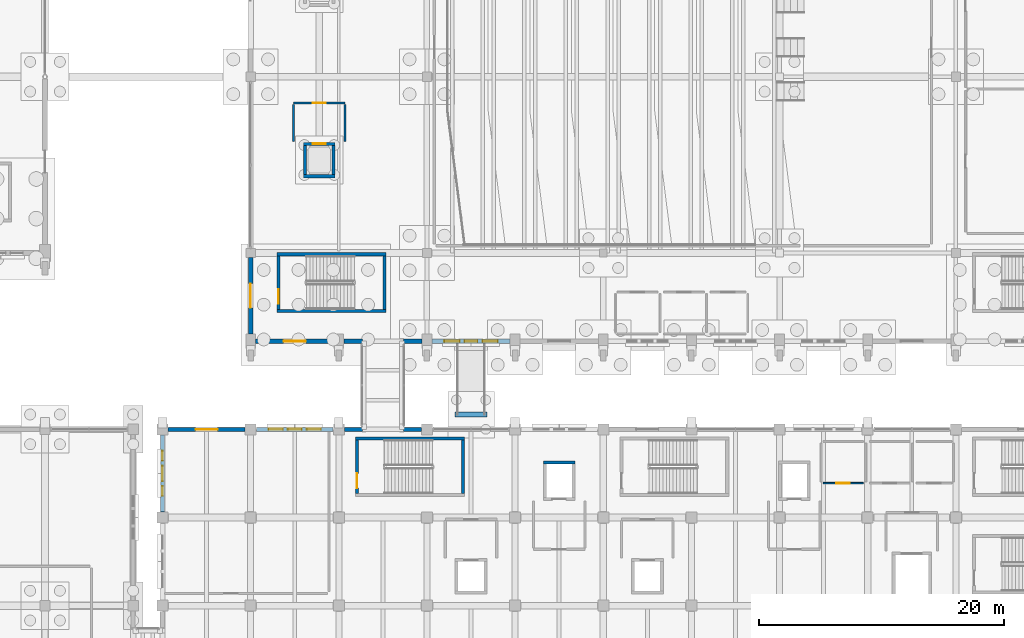
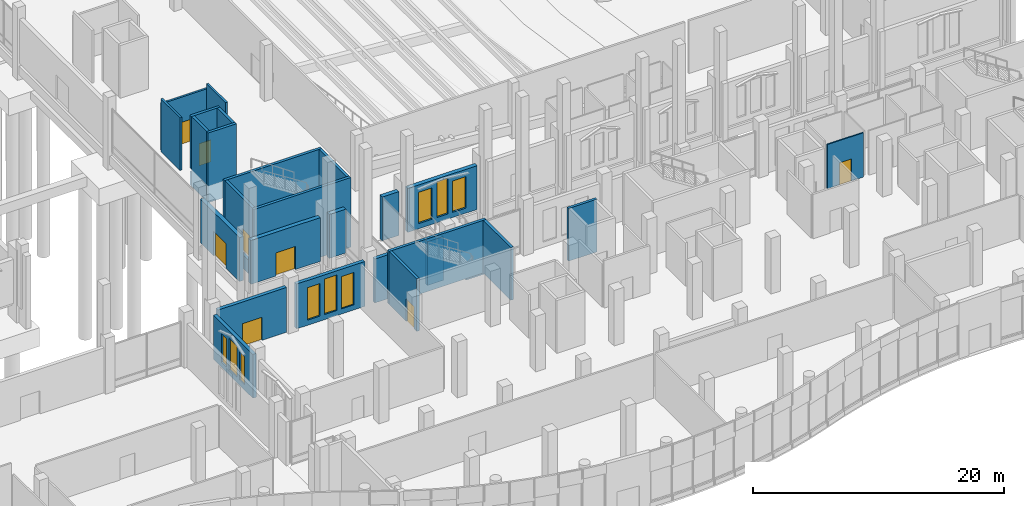
# One storey, part 140 of 192: 29 walls, 9 windows, 8 doors, 17 openings.
"""IFC4 building model written with IfcOpenShell, lengths in metres."""

from ifc_helpers import new_model, si_unit, direction, frame, frame_2d, origin, place, context, subcontext, project, spatial, rectangle, extrude, material, layer, layer_set, type_object, element, fill, save


model = new_model("IFC4")

# Units and contexts
model_context = context("Model", 3, precision=1e-05, world=origin(), true_north=direction((0.0, 1.0)))
body_context = subcontext(model_context, "Body", "Model", "MODEL_VIEW")
ifc_project = project(units=[si_unit("LENGTHUNIT", "METRE"), si_unit("AREAUNIT", "SQUARE_METRE"), si_unit("VOLUMEUNIT", "CUBIC_METRE"), si_unit("PLANEANGLEUNIT", "RADIAN"), si_unit("MASSUNIT", "GRAM", prefix="KILO")], contexts=[model_context])

# Site, building, storey
site_placement = place(None, origin())
site = spatial("IfcSite", under=ifc_project, at=site_placement, CompositionType="ELEMENT")
building_placement = place(site_placement, origin())
building = spatial("IfcBuilding", under=site, at=building_placement, Name="Cendralis Lancet Convention Centre", CompositionType="ELEMENT")
storey_placement = place(building_placement, origin())
storey = spatial("IfcBuildingStorey", under=building, at=storey_placement, Name="L00", CompositionType="ELEMENT", Elevation=0.0)

# Wall, opening, door
ifc_material_1 = material(Name="Buff sandstone ashlar and Concrete G40 (C40/50)", Category="masonry")
ifc_layer_1 = layer(ifc_material_1, 0.320068359375, Name="Buff sandstone ashlar and Concrete G40 (C40/50)")
ifc_layer_set_1 = layer_set([ifc_layer_1], Name="Buff sandstone ashlar and Concrete G40 (C40/50)")
wall_type_1 = type_object("IfcWallType", Name="ARC-EW-W320", PredefinedType="STANDARD", material=ifc_layer_set_1)
wall_1_placement = place(storey_placement, frame((132.4580078125, 36.0, 0.0), z_axis=(0.0, 0.0, 1.0), x_axis=(1.0, 0.0, 0.0)))
wall_1 = element("IfcWall", 1, at=wall_1_placement, inside=storey, type_object=wall_type_1, Name="L00 V5 Exterior Wall EW-06 #0245", PredefinedType="STANDARD", context=body_context, shape_type="SweptSolid", body=[
    extrude(rectangle(XDim=6.283935546875, YDim=0.320068359375, at=frame_2d((3.14208984375, 0.0))), origin(), (0.0, 0.0, 1.0), 4.35498046875),
])
opening_1_placement = place(wall_1_placement, frame((2.241943359375, 0.0, 0.0)))
opening_1 = element("IfcOpeningElement", 2, at=opening_1_placement, cuts=wall_1, Name="Opening EX-D1", PredefinedType="OPENING", context=body_context, shape_type="SweptSolid", body=[
    extrude(rectangle(XDim=1.800048828125, YDim=2.25, at=frame_2d((0.89990234375, 1.125))), frame((0.0, 0.169921875, 0.0), z_axis=(0.0, -1.0, 0.0), x_axis=(1.0, 0.0, 0.0)), (0.0, 0.0, 1.0), 0.340087890625),
])
ifc_material_2 = material(Name="Anodised bronze architectural aluminium", Category="aluminium")
door_type_1 = type_object("IfcDoorType", Name="ARC-DR-EX18", OperationType="NOTDEFINED", PredefinedType="DOOR", material=ifc_material_2)
door_1_placement = place(opening_1_placement, origin())
door_1 = element("IfcDoor", 3, at=door_1_placement, inside=storey, type_object=door_type_1, Name="L00-D047 Pedestrian Final Exit Door EX-52 #052", OperationType="DOUBLE_DOOR_SINGLE_SWING", OverallHeight=2.25, OverallWidth=1.800048828125, PredefinedType="DOOR", context=body_context, shape_type="SweptSolid", body=[
    extrude(rectangle(XDim=1.800048828125, YDim=2.25, at=frame_2d((0.89990234375, 1.125))), frame((0.0, 0.02490234375, 0.0), z_axis=(0.0, -1.0, 0.0), x_axis=(1.0, 0.0, 0.0)), (0.0, 0.0, 1.0), 0.050048828125),
])
fill(opening_1, door_1)

# Wall, openings, windows
wall_2_placement = place(storey_placement, frame((139.657958984375, 36.0, 0.0), z_axis=(0.0, 0.0, 1.0), x_axis=(1.0, 0.0, 0.0)))
wall_2 = element("IfcWall", 4, at=wall_2_placement, inside=storey, type_object=wall_type_1, Name="L00 V5 Exterior Wall EW-06 #0246", PredefinedType="STANDARD", context=body_context, shape_type="SweptSolid", body=[
    extrude(rectangle(XDim=6.283935546875, YDim=0.320068359375, at=frame_2d((3.14208984375, 0.0))), origin(), (0.0, 0.0, 1.0), 4.35498046875),
])
opening_2_placement = place(wall_2_placement, frame((1.001953125, 0.0, 0.5)))
opening_2 = element("IfcOpeningElement", 5, at=opening_2_placement, cuts=wall_2, Name="Opening WN-13", PredefinedType="OPENING", context=body_context, shape_type="SweptSolid", body=[
    extrude(rectangle(XDim=1.159912109375, YDim=3.14990234375, at=frame_2d((0.580078125, 1.574951171875))), frame((0.0, 0.169921875, 0.0), z_axis=(0.0, -1.0, 0.0), x_axis=(1.0, 0.0, 0.0)), (0.0, 0.0, 1.0), 0.340087890625),
])
opening_3_placement = place(wall_2_placement, frame((2.58203125, 0.0, 0.5)))
opening_3 = element("IfcOpeningElement", 6, at=opening_3_placement, cuts=wall_2, Name="Opening WN-12", PredefinedType="OPENING", context=body_context, shape_type="SweptSolid", body=[
    extrude(rectangle(XDim=1.1201171875, YDim=3.449951171875, at=frame_2d((0.56005859375, 1.72509765625))), frame((0.0, 0.169921875, 0.0), z_axis=(0.0, -1.0, 0.0), x_axis=(1.0, 0.0, 0.0)), (0.0, 0.0, 1.0), 0.340087890625),
])
opening_4_placement = place(wall_2_placement, frame((4.1220703125, 0.0, 0.5)))
opening_4 = element("IfcOpeningElement", 7, at=opening_4_placement, cuts=wall_2, Name="Opening WN-13", PredefinedType="OPENING", context=body_context, shape_type="SweptSolid", body=[
    extrude(rectangle(XDim=1.159912109375, YDim=3.14990234375, at=frame_2d((0.580078125, 1.574951171875))), frame((0.0, 0.169921875, 0.0), z_axis=(0.0, -1.0, 0.0), x_axis=(1.0, 0.0, 0.0)), (0.0, 0.0, 1.0), 0.340087890625),
])
ifc_material_3 = material(Name="Double-glazed low-E solar-control glass", Category="glass")
window_type_1 = type_object("IfcWindowType", Name="ARC-WN-LW12", PartitioningType="SINGLE_PANEL", PredefinedType="WINDOW", material=ifc_material_3)
window_1_placement = place(opening_3_placement, origin())
window_1 = element("IfcWindow", 8, at=window_1_placement, inside=storey, type_object=window_type_1, Name="Gothic Lancet Window WN-12 #0473", OverallHeight=3.449951171875, OverallWidth=1.1201171875, PartitioningType="SINGLE_PANEL", PredefinedType="WINDOW", context=body_context, shape_type="SweptSolid", body=[
    extrude(rectangle(XDim=1.1201171875, YDim=3.449951171875, at=frame_2d((0.56005859375, 1.72509765625))), frame((0.0, 0.030029296875, 0.0), z_axis=(0.0, -1.0, 0.0), x_axis=(1.0, 0.0, 0.0)), (0.0, 0.0, 1.0), 0.06005859375),
])
fill(opening_3, window_1)
window_type_2 = type_object("IfcWindowType", Name="ARC-WN-LW13", PartitioningType="SINGLE_PANEL", PredefinedType="WINDOW", material=ifc_material_3)
window_2_placement = place(opening_2_placement, origin())
window_2 = element("IfcWindow", 9, at=window_2_placement, inside=storey, type_object=window_type_2, Name="Gothic Lancet Window WN-13 #0472", OverallHeight=3.14990234375, OverallWidth=1.159912109375, PartitioningType="SINGLE_PANEL", PredefinedType="WINDOW", context=body_context, shape_type="SweptSolid", body=[
    extrude(rectangle(XDim=1.159912109375, YDim=3.14990234375, at=frame_2d((0.580078125, 1.574951171875))), frame((0.0, 0.030029296875, 0.0), z_axis=(0.0, -1.0, 0.0), x_axis=(1.0, 0.0, 0.0)), (0.0, 0.0, 1.0), 0.06005859375),
])
fill(opening_2, window_2)
window_3_placement = place(opening_4_placement, origin())
window_3 = element("IfcWindow", 10, at=window_3_placement, inside=storey, type_object=window_type_2, Name="Gothic Lancet Window WN-13 #0474", OverallHeight=3.14990234375, OverallWidth=1.159912109375, PartitioningType="SINGLE_PANEL", PredefinedType="WINDOW", context=body_context, shape_type="SweptSolid", body=[
    extrude(rectangle(XDim=1.159912109375, YDim=3.14990234375, at=frame_2d((0.580078125, 1.574951171875))), frame((0.0, 0.030029296875, 0.0), z_axis=(0.0, -1.0, 0.0), x_axis=(1.0, 0.0, 0.0)), (0.0, 0.0, 1.0), 0.06005859375),
])
fill(opening_4, window_3)

# Walls
for number, where, z_axis, x_axis, name in (
    (11, (146.85791015625, 36.0, 0.0), (0.0, 0.0, 1.0), (1.0, 0.0, 0.0), "L00 V5 Exterior Wall EW-06 #0247"),
    (12, (151.679931640625, 36.0, 0.0), (0.0, 0.0, 1.0), (1.0, 0.0, 0.0), "L00 V5 Exterior Wall EW-06 #0248"),
):
    element("IfcWall", number, at=place(storey_placement, frame(where, z_axis=z_axis, x_axis=x_axis)), inside=storey, type_object=wall_type_1, Name=name, PredefinedType="STANDARD", context=body_context, shape_type="SweptSolid", body=[
        extrude(rectangle(XDim=1.462158203125, YDim=0.320068359375, at=frame_2d((0.73095703125, 0.0))), origin(), (0.0, 0.0, 1.0), 4.264892578125),
    ])

# Wall, openings, windows
wall_3_placement = place(storey_placement, frame((132.0, 29.258056640625, 0.0), z_axis=(0.0, 0.0, 1.0), x_axis=(0.0, 1.0, 0.0)))
wall_3 = element("IfcWall", 13, at=wall_3_placement, inside=storey, type_object=wall_type_1, Name="L00 V5 Exterior Wall EW-06 #0263", PredefinedType="STANDARD", context=body_context, shape_type="SweptSolid", body=[
    extrude(rectangle(XDim=6.283935546875, YDim=0.320068359375, at=frame_2d((3.14208984375, 0.0))), origin(), (0.0, 0.0, 1.0), 4.2548828125),
])
opening_5_placement = place(wall_3_placement, frame((1.302001953125, 0.0, 0.5)))
opening_5 = element("IfcOpeningElement", 14, at=opening_5_placement, cuts=wall_3, Name="Opening WN-07", PredefinedType="OPENING", context=body_context, shape_type="SweptSolid", body=[
    extrude(rectangle(XDim=0.800048828125, YDim=2.75, at=frame_2d((0.39990234375, 1.375))), frame((0.0, 0.169921875, 0.0), z_axis=(0.0, -1.0, 0.0), x_axis=(1.0, 0.0, 0.0)), (0.0, 0.0, 1.0), 0.340087890625),
])
opening_6_placement = place(wall_3_placement, frame((2.52197265625, 0.0, 0.5)))
opening_6 = element("IfcOpeningElement", 15, at=opening_6_placement, cuts=wall_3, Name="Opening WN-16", PredefinedType="OPENING", context=body_context, shape_type="SweptSolid", body=[
    extrude(rectangle(XDim=1.239990234375, YDim=3.050048828125, at=frame_2d((0.6201171875, 1.52490234375))), frame((0.0, 0.169921875, 0.0), z_axis=(0.0, -1.0, 0.0), x_axis=(1.0, 0.0, 0.0)), (0.0, 0.0, 1.0), 0.340087890625),
])
opening_7_placement = place(wall_3_placement, frame((4.181884765625, 0.0, 0.5)))
opening_7 = element("IfcOpeningElement", 16, at=opening_7_placement, cuts=wall_3, Name="Opening WN-07", PredefinedType="OPENING", context=body_context, shape_type="SweptSolid", body=[
    extrude(rectangle(XDim=0.800048828125, YDim=2.75, at=frame_2d((0.39990234375, 1.375))), frame((0.0, 0.169921875, 0.0), z_axis=(0.0, -1.0, 0.0), x_axis=(1.0, 0.0, 0.0)), (0.0, 0.0, 1.0), 0.340087890625),
])
window_type_3 = type_object("IfcWindowType", Name="ARC-WN-LW07", PartitioningType="SINGLE_PANEL", PredefinedType="WINDOW", material=ifc_material_3)
window_4_placement = place(opening_5_placement, origin())
window_4 = element("IfcWindow", 17, at=window_4_placement, inside=storey, type_object=window_type_3, Name="Gothic Lancet Window WN-07 #0499", OverallHeight=2.75, OverallWidth=0.800048828125, PartitioningType="SINGLE_PANEL", PredefinedType="WINDOW", context=body_context, shape_type="SweptSolid", body=[
    extrude(rectangle(XDim=0.800048828125, YDim=2.75, at=frame_2d((0.39990234375, 1.375))), frame((0.0, 0.030029296875, 0.0), z_axis=(0.0, -1.0, 0.0), x_axis=(1.0, 0.0, 0.0)), (0.0, 0.0, 1.0), 0.06005859375),
])
fill(opening_5, window_4)
window_5_placement = place(opening_7_placement, origin())
window_5 = element("IfcWindow", 18, at=window_5_placement, inside=storey, type_object=window_type_3, Name="Gothic Lancet Window WN-07 #0501", OverallHeight=2.75, OverallWidth=0.800048828125, PartitioningType="SINGLE_PANEL", PredefinedType="WINDOW", context=body_context, shape_type="SweptSolid", body=[
    extrude(rectangle(XDim=0.800048828125, YDim=2.75, at=frame_2d((0.39990234375, 1.375))), frame((0.0, 0.030029296875, 0.0), z_axis=(0.0, -1.0, 0.0), x_axis=(1.0, 0.0, 0.0)), (0.0, 0.0, 1.0), 0.06005859375),
])
fill(opening_7, window_5)
window_type_4 = type_object("IfcWindowType", Name="ARC-WN-LW16", PartitioningType="SINGLE_PANEL", PredefinedType="WINDOW", material=ifc_material_3)
window_6_placement = place(opening_6_placement, origin())
window_6 = element("IfcWindow", 19, at=window_6_placement, inside=storey, type_object=window_type_4, Name="Gothic Lancet Window WN-16 #0500", OverallHeight=3.050048828125, OverallWidth=1.239990234375, PartitioningType="SINGLE_PANEL", PredefinedType="WINDOW", context=body_context, shape_type="SweptSolid", body=[
    extrude(rectangle(XDim=1.239990234375, YDim=3.050048828125, at=frame_2d((0.6201171875, 1.52490234375))), frame((0.0, 0.030029296875, 0.0), z_axis=(0.0, -1.0, 0.0), x_axis=(1.0, 0.0, 0.0)), (0.0, 0.0, 1.0), 0.06005859375),
])
fill(opening_6, window_6)

# Wall, opening, door
ifc_layer_2 = layer(ifc_material_1, 0.3798828125, Name="Buff sandstone ashlar and Concrete G40 (C40/50)")
ifc_layer_set_2 = layer_set([ifc_layer_2], Name="Buff sandstone ashlar and Concrete G40 (C40/50)")
wall_type_2 = type_object("IfcWallType", Name="ARC-EW-W380", PredefinedType="STANDARD", material=ifc_layer_set_2)
wall_4_placement = place(storey_placement, frame((145.991943359375, 43.199951171875, 0.0), z_axis=(0.0, 0.0, 1.0), x_axis=(-1.0, 0.0, 0.0)))
wall_4 = element("IfcWall", 20, at=wall_4_placement, inside=storey, type_object=wall_type_2, Name="L00 V2 Exterior Wall EW-03 #0066", PredefinedType="STANDARD", context=body_context, shape_type="SweptSolid", body=[
    extrude(rectangle(XDim=6.384033203125, YDim=0.3798828125, at=frame_2d((3.19189453125, 0.0))), origin(), (0.0, 0.0, 1.0), 4.2548828125),
])
opening_8_placement = place(wall_4_placement, frame((2.2919921875, 0.0, 0.0)))
opening_8 = element("IfcOpeningElement", 21, at=opening_8_placement, cuts=wall_4, Name="Opening EX-D1", PredefinedType="OPENING", context=body_context, shape_type="SweptSolid", body=[
    extrude(rectangle(XDim=1.800048828125, YDim=2.25, at=frame_2d((0.89990234375, 1.125))), frame((0.0, 0.199951171875, 0.0), z_axis=(0.0, -1.0, 0.0), x_axis=(1.0, 0.0, 0.0)), (0.0, 0.0, 1.0), 0.39990234375),
])
door_2_placement = place(opening_8_placement, origin())
door_2 = element("IfcDoor", 22, at=door_2_placement, inside=storey, type_object=door_type_1, Name="L00-D027 Pedestrian Final Exit Door EX-27 #027", OperationType="DOUBLE_DOOR_SINGLE_SWING", OverallHeight=2.25, OverallWidth=1.800048828125, PredefinedType="DOOR", context=body_context, shape_type="SweptSolid", body=[
    extrude(rectangle(XDim=1.800048828125, YDim=2.25, at=frame_2d((0.89990234375, 1.125))), frame((0.0, 0.02490234375, 0.0), z_axis=(0.0, -1.0, 0.0), x_axis=(1.0, 0.0, 0.0)), (0.0, 0.0, 1.0), 0.050048828125),
])
fill(opening_8, door_2)

# Walls
for number, where, z_axis, x_axis, name in (
    (23, (153.19189453125, 43.199951171875, 0.0), (0.0, 0.0, 1.0), (-1.0, 0.0, 0.0), "L00 V2 Exterior Wall EW-03 #0067"),
    (24, (148.320068359375, 43.199951171875, 0.0), (0.0, 0.0, 1.0), (-1.0, 0.0, 0.0), "L00 V2 Exterior Wall EW-03 #0068"),
):
    element("IfcWall", number, at=place(storey_placement, frame(where, z_axis=z_axis, x_axis=x_axis)), inside=storey, type_object=wall_type_2, Name=name, PredefinedType="STANDARD", context=body_context, shape_type="SweptSolid", body=[
        extrude(rectangle(XDim=1.511962890625, YDim=0.3798828125, at=frame_2d((0.755859375, 0.0))), origin(), (0.0, 0.0, 1.0), 4.2548828125),
    ])

# Wall, openings, windows
wall_5_placement = place(storey_placement, frame((160.39208984375, 43.199951171875, 0.0), z_axis=(0.0, 0.0, 1.0), x_axis=(-1.0, 0.0, 0.0)))
wall_5 = element("IfcWall", 25, at=wall_5_placement, inside=storey, type_object=wall_type_2, Name="L00 V2 Exterior Wall EW-03 #0069", PredefinedType="STANDARD", context=body_context, shape_type="SweptSolid", body=[
    extrude(rectangle(XDim=6.384033203125, YDim=0.3798828125, at=frame_2d((3.19189453125, 0.0))), origin(), (0.0, 0.0, 1.0), 4.2548828125),
])
opening_9_placement = place(wall_5_placement, frame((1.011962890625, 0.0, 0.5)))
opening_9 = element("IfcOpeningElement", 26, at=opening_9_placement, cuts=wall_5, Name="Opening WN-16", PredefinedType="OPENING", context=body_context, shape_type="SweptSolid", body=[
    extrude(rectangle(XDim=1.239990234375, YDim=3.050048828125, at=frame_2d((0.6201171875, 1.52490234375))), frame((0.0, 0.199951171875, 0.0), z_axis=(0.0, -1.0, 0.0), x_axis=(1.0, 0.0, 0.0)), (0.0, 0.0, 1.0), 0.39990234375),
])
opening_10_placement = place(wall_5_placement, frame((2.672119140625, 0.0, 0.5)))
opening_10 = element("IfcOpeningElement", 27, at=opening_10_placement, cuts=wall_5, Name="Opening WN-06", PredefinedType="OPENING", context=body_context, shape_type="SweptSolid", body=[
    extrude(rectangle(XDim=1.0400390625, YDim=3.47998046875, at=frame_2d((0.52001953125, 1.739990234375))), frame((0.0, 0.199951171875, 0.0), z_axis=(0.0, -1.0, 0.0), x_axis=(1.0, 0.0, 0.0)), (0.0, 0.0, 1.0), 0.39990234375),
])
opening_11_placement = place(wall_5_placement, frame((4.132080078125, 0.0, 0.5)))
opening_11 = element("IfcOpeningElement", 28, at=opening_11_placement, cuts=wall_5, Name="Opening WN-16", PredefinedType="OPENING", context=body_context, shape_type="SweptSolid", body=[
    extrude(rectangle(XDim=1.239990234375, YDim=3.050048828125, at=frame_2d((0.6201171875, 1.52490234375))), frame((0.0, 0.199951171875, 0.0), z_axis=(0.0, -1.0, 0.0), x_axis=(1.0, 0.0, 0.0)), (0.0, 0.0, 1.0), 0.39990234375),
])
window_type_5 = type_object("IfcWindowType", Name="ARC-WN-LW06", PartitioningType="SINGLE_PANEL", PredefinedType="WINDOW", material=ifc_material_3)
window_7_placement = place(opening_10_placement, origin())
window_7 = element("IfcWindow", 29, at=window_7_placement, inside=storey, type_object=window_type_5, Name="Gothic Lancet Window WN-06 #0110", OverallHeight=3.47998046875, OverallWidth=1.0400390625, PartitioningType="SINGLE_PANEL", PredefinedType="WINDOW", context=body_context, shape_type="SweptSolid", body=[
    extrude(rectangle(XDim=1.0400390625, YDim=3.47998046875, at=frame_2d((0.52001953125, 1.739990234375))), frame((0.0, 0.030029296875, 0.0), z_axis=(0.0, -1.0, 0.0), x_axis=(1.0, 0.0, 0.0)), (0.0, 0.0, 1.0), 0.06005859375),
])
fill(opening_10, window_7)
window_8_placement = place(opening_9_placement, origin())
window_8 = element("IfcWindow", 30, at=window_8_placement, inside=storey, type_object=window_type_4, Name="Gothic Lancet Window WN-16 #0109", OverallHeight=3.050048828125, OverallWidth=1.239990234375, PartitioningType="SINGLE_PANEL", PredefinedType="WINDOW", context=body_context, shape_type="SweptSolid", body=[
    extrude(rectangle(XDim=1.239990234375, YDim=3.050048828125, at=frame_2d((0.6201171875, 1.52490234375))), frame((0.0, 0.030029296875, 0.0), z_axis=(0.0, -1.0, 0.0), x_axis=(1.0, 0.0, 0.0)), (0.0, 0.0, 1.0), 0.06005859375),
])
fill(opening_9, window_8)
window_9_placement = place(opening_11_placement, origin())
window_9 = element("IfcWindow", 31, at=window_9_placement, inside=storey, type_object=window_type_4, Name="Gothic Lancet Window WN-16 #0111", OverallHeight=3.050048828125, OverallWidth=1.239990234375, PartitioningType="SINGLE_PANEL", PredefinedType="WINDOW", context=body_context, shape_type="SweptSolid", body=[
    extrude(rectangle(XDim=1.239990234375, YDim=3.050048828125, at=frame_2d((0.6201171875, 1.52490234375))), frame((0.0, 0.030029296875, 0.0), z_axis=(0.0, -1.0, 0.0), x_axis=(1.0, 0.0, 0.0)), (0.0, 0.0, 1.0), 0.06005859375),
])
fill(opening_11, window_9)

# Wall, opening, door
wall_6_placement = place(storey_placement, frame((139.199951171875, 43.80810546875, 0.0), z_axis=(0.0, 0.0, 1.0), x_axis=(0.0, 1.0, 0.0)))
wall_6 = element("IfcWall", 32, at=wall_6_placement, inside=storey, type_object=wall_type_2, Name="L00 V2 Exterior Wall EW-03 #0085", PredefinedType="STANDARD", context=body_context, shape_type="SweptSolid", body=[
    extrude(rectangle(XDim=6.208984375, YDim=0.3798828125, at=frame_2d((3.1044921875, 0.0))), origin(), (0.0, 0.0, 1.0), 4.2548828125),
])
opening_12_placement = place(wall_6_placement, frame((2.1044921875, 0.0, 0.0)))
opening_12 = element("IfcOpeningElement", 33, at=opening_12_placement, cuts=wall_6, Name="Opening EX-D2", PredefinedType="OPENING", context=body_context, shape_type="SweptSolid", body=[
    extrude(rectangle(XDim=2.0, YDim=2.39990234375, at=frame_2d((1.0, 1.199951171875))), frame((0.0, 0.199951171875, 0.0), z_axis=(0.0, -1.0, 0.0), x_axis=(1.0, 0.0, 0.0)), (0.0, 0.0, 1.0), 0.39990234375),
])
door_type_2 = type_object("IfcDoorType", Name="ARC-DR-EX20", OperationType="NOTDEFINED", PredefinedType="DOOR", material=ifc_material_2)
door_3_placement = place(opening_12_placement, origin())
door_3 = element("IfcDoor", 34, at=door_3_placement, inside=storey, type_object=door_type_2, Name="L00-D030 Pedestrian Final Exit Door EX-30 #030", OperationType="DOUBLE_DOOR_SINGLE_SWING", OverallHeight=2.39990234375, OverallWidth=2.0, PredefinedType="DOOR", context=body_context, shape_type="SweptSolid", body=[
    extrude(rectangle(XDim=2.0, YDim=2.39990234375, at=frame_2d((1.0, 1.199951171875))), frame((0.0, 0.02490234375, 0.0), z_axis=(0.0, -1.0, 0.0), x_axis=(1.0, 0.0, 0.0)), (0.0, 0.0, 1.0), 0.050048828125),
])
fill(opening_12, door_3)

ifc_material_4 = material(Name="Acoustic fire-rated gypsum board on steel studs", Category="steel")
ifc_layer_3 = layer(ifc_material_4, 0.1201171875, Name="Acoustic fire-rated gypsum board on steel studs")
ifc_layer_set_3 = layer_set([ifc_layer_3], Name="Acoustic fire-rated gypsum board on steel studs")
wall_type_3 = type_object("IfcWallType", Name="ARC-IW-P120", PredefinedType="PARTITIONING", material=ifc_layer_set_3)
wall_7_placement = place(storey_placement, frame((185.949951171875, 31.60009765625, 0.0), z_axis=(0.0, 0.0, 1.0), x_axis=(1.0, 0.0, 0.0)))
wall_7 = element("IfcWall", 35, at=wall_7_placement, inside=storey, type_object=wall_type_3, Name="L00 Interior Partition IW-05 #0357", PredefinedType="PARTITIONING", context=body_context, shape_type="SweptSolid", body=[
    extrude(rectangle(XDim=3.300048828125, YDim=0.1201171875, at=frame_2d((1.64990234375, 0.0))), origin(), (0.0, 0.0, 1.0), 4.304931640625),
])
opening_13_placement = place(wall_7_placement, frame((1.10009765625, 0.0, 0.0)))
opening_13 = element("IfcOpeningElement", 36, at=opening_13_placement, cuts=wall_7, Name="Opening FD-11", PredefinedType="OPENING", context=body_context, shape_type="SweptSolid", body=[
    extrude(rectangle(XDim=1.10009765625, YDim=2.14990234375, at=frame_2d((0.550048828125, 1.074951171875))), frame((0.0, 0.070068359375, 0.0), z_axis=(0.0, -1.0, 0.0), x_axis=(1.0, 0.0, 0.0)), (0.0, 0.0, 1.0), 0.14013671875),
])
ifc_material_5 = material(Name="Steel S355", Category="steel")
door_type_3 = type_object("IfcDoorType", Name="ARC-DR-FF11", OperationType="NOTDEFINED", PredefinedType="DOOR", material=ifc_material_5)
door_4_placement = place(opening_13_placement, frame((1.10009765625, 0.0, 0.0), z_axis=(0.0, 0.0, 1.0), x_axis=(-1.0, 0.0, 0.0)))
door_4 = element("IfcDoor", 37, at=door_4_placement, inside=storey, type_object=door_type_3, Name="L00-D087 L00 Interior Door FD-11 #0121", OperationType="SINGLE_SWING_LEFT", OverallHeight=2.14990234375, OverallWidth=1.10009765625, PredefinedType="DOOR", context=body_context, shape_type="SweptSolid", body=[
    extrude(rectangle(XDim=1.10009765625, YDim=2.14990234375, at=frame_2d((0.550048828125, 1.074951171875))), frame((0.0, 0.02490234375, 0.0), z_axis=(0.0, -1.0, 0.0), x_axis=(1.0, 0.0, 0.0)), (0.0, 0.0, 1.0), 0.050048828125),
])
fill(opening_13, door_4)

ifc_layer_4 = layer(ifc_material_4, 0.179931640625, Name="Acoustic fire-rated gypsum board on steel studs")
ifc_layer_set_4 = layer_set([ifc_layer_4], Name="Acoustic fire-rated gypsum board on steel studs")
wall_type_4 = type_object("IfcWallType", Name="ARC-IW-P180", PredefinedType="PARTITIONING", material=ifc_layer_set_4)
wall_8_placement = place(storey_placement, frame((142.699951171875, 62.64990234375, 0.0), z_axis=(0.0, 0.0, 1.0), x_axis=(1.0, 0.0, 0.0)))
wall_8 = element("IfcWall", 38, at=wall_8_placement, inside=storey, type_object=wall_type_4, Name="L00 Lift Lobby LP-05 Front Wall", PredefinedType="PARTITIONING", context=body_context, shape_type="SweptSolid", body=[
    extrude(rectangle(XDim=4.199951171875, YDim=0.179931640625, at=frame_2d((2.10009765625, 0.0))), origin(), (0.0, 0.0, 1.0), 4.60498046875),
])
opening_14_placement = place(wall_8_placement, frame((1.550048828125, 0.0, 0.0)))
opening_14 = element("IfcOpeningElement", 39, at=opening_14_placement, cuts=wall_8, Name="Opening FD-11", PredefinedType="OPENING", context=body_context, shape_type="SweptSolid", body=[
    extrude(rectangle(XDim=1.10009765625, YDim=2.14990234375, at=frame_2d((0.550048828125, 1.074951171875))), frame((0.0, 0.099853515625, 0.0), z_axis=(0.0, -1.0, 0.0), x_axis=(1.0, 0.0, 0.0)), (0.0, 0.0, 1.0), 0.199951171875),
])
door_5_placement = place(opening_14_placement, origin())
door_5 = element("IfcDoor", 40, at=door_5_placement, inside=storey, type_object=door_type_3, Name="L00-D114 L00 Lift Lobby LP-05 Fire Door", OperationType="SINGLE_SWING_RIGHT", OverallHeight=2.14990234375, OverallWidth=1.10009765625, PredefinedType="DOOR", context=body_context, shape_type="SweptSolid", body=[
    extrude(rectangle(XDim=1.10009765625, YDim=2.14990234375, at=frame_2d((0.550048828125, 1.074951171875))), frame((0.0, 0.02490234375, 0.0), z_axis=(0.0, -1.0, 0.0), x_axis=(1.0, 0.0, 0.0)), (0.0, 0.0, 1.0), 0.050048828125),
])
fill(opening_14, door_5)

# Walls
for number, where, z_axis, x_axis, name in (
    (41, (142.699951171875, 59.5, 0.0), (0.0, 0.0, 1.0), (0.0, 1.0, 0.0), "L00 Lift Lobby LP-05 West Wall"),
    (42, (146.89990234375, 59.5, 0.0), (0.0, 0.0, 1.0), (0.0, 1.0, 0.0), "L00 Lift Lobby LP-05 East Wall"),
):
    element("IfcWall", number, at=place(storey_placement, frame(where, z_axis=z_axis, x_axis=x_axis)), inside=storey, type_object=wall_type_4, Name=name, PredefinedType="PARTITIONING", context=body_context, shape_type="SweptSolid", body=[
        extrude(rectangle(XDim=3.050048828125, YDim=0.179931640625, at=frame_2d((1.52490234375, 0.0))), origin(), (0.0, 0.0, 1.0), 5.1201171875),
    ])
ifc_material_6 = material(Name="Concrete G40 (C40/50)", Category="concrete")
ifc_layer_5 = layer(ifc_material_6, 0.25, Name="Concrete G40 (C40/50)")
ifc_layer_set_5 = layer_set([ifc_layer_5], Name="Concrete G40 (C40/50)")
wall_type_5 = type_object("IfcWallType", Name="STR-SW-CW250", PredefinedType="SHEAR", material=ifc_layer_set_5)
wall_9_placement = place(storey_placement, frame((141.47509765625, 45.800048828125, -1.64990234375), z_axis=(0.0, 0.0, 1.0), x_axis=(0.0, 1.0, 0.0)))
element("IfcWall", 43, at=wall_9_placement, inside=storey, type_object=wall_type_5, Name="L00 Stair Core ST-08 West Base Stem", PredefinedType="SHEAR", context=body_context, shape_type="SweptSolid", body=[
    extrude(rectangle(XDim=4.3798828125, YDim=0.25, at=frame_2d((2.18994140625, 0.0))), origin(), (0.0, 0.0, 1.0), 1.309814453125),
])

# Wall, opening, door
wall_10_placement = place(storey_placement, frame((141.47509765625, 45.800048828125, 0.0), z_axis=(0.0, 0.0, 1.0), x_axis=(0.0, 1.0, 0.0)))
wall_10 = element("IfcWall", 44, at=wall_10_placement, inside=storey, type_object=wall_type_5, Name="L00 Stair Core ST-08 West Shear Wall", PredefinedType="SHEAR", context=body_context, shape_type="SweptSolid", body=[
    extrude(rectangle(XDim=4.3798828125, YDim=0.25, at=frame_2d((2.18994140625, 0.0))), origin(), (0.0, 0.0, 1.0), 5.1201171875),
])
opening_15_placement = place(wall_10_placement, frame((0.449951171875, 0.0, 0.0)))
opening_15 = element("IfcOpeningElement", 45, at=opening_15_placement, cuts=wall_10, Name="Opening SD-12", PredefinedType="OPENING", context=body_context, shape_type="SweptSolid", body=[
    extrude(rectangle(XDim=1.199951171875, YDim=2.14990234375, at=frame_2d((0.60009765625, 1.074951171875))), frame((0.0, 0.135009765625, 0.0), z_axis=(0.0, -1.0, 0.0), x_axis=(1.0, 0.0, 0.0)), (0.0, 0.0, 1.0), 0.27001953125),
])
door_type_4 = type_object("IfcDoorType", Name="ARC-DR-ST12", OperationType="NOTDEFINED", PredefinedType="DOOR", material=ifc_material_5)
door_6_placement = place(opening_15_placement, origin())
door_6 = element("IfcDoor", 46, at=door_6_placement, inside=storey, type_object=door_type_4, Name="L00-D125 L00 Exit Stair ST-08 Fire Door", OperationType="SINGLE_SWING_LEFT", OverallHeight=2.14990234375, OverallWidth=1.199951171875, PredefinedType="DOOR", context=body_context, shape_type="SweptSolid", body=[
    extrude(rectangle(XDim=1.199951171875, YDim=2.14990234375, at=frame_2d((0.60009765625, 1.074951171875))), frame((0.0, 0.02490234375, 0.0), z_axis=(0.0, -1.0, 0.0), x_axis=(1.0, 0.0, 0.0)), (0.0, 0.0, 1.0), 0.050048828125),
])
fill(opening_15, door_6)

# Walls
wall_11_placement = place(storey_placement, frame((150.125, 45.800048828125, -1.64990234375), z_axis=(0.0, 0.0, 1.0), x_axis=(0.0, 1.0, 0.0)))
element("IfcWall", 47, at=wall_11_placement, inside=storey, type_object=wall_type_5, Name="L00 Stair Core ST-08 East Shear Wall", PredefinedType="SHEAR", context=body_context, shape_type="SweptSolid", body=[
    extrude(rectangle(XDim=4.3798828125, YDim=0.25, at=frame_2d((2.18994140625, 0.0))), origin(), (0.0, 0.0, 1.0), 6.77001953125),
])
for number, where, z_axis, x_axis, name in (
    (48, (141.35009765625, 45.675048828125, -1.64990234375), (0.0, 0.0, 1.0), (1.0, 0.0, 0.0), "L00 Stair Core ST-08 South Shear Wall"),
    (49, (141.35009765625, 50.304931640625, -1.64990234375), (0.0, 0.0, 1.0), (1.0, 0.0, 0.0), "L00 Stair Core ST-08 North Shear Wall"),
):
    element("IfcWall", number, at=place(storey_placement, frame(where, z_axis=z_axis, x_axis=x_axis)), inside=storey, type_object=wall_type_5, Name=name, PredefinedType="SHEAR", context=body_context, shape_type="SweptSolid", body=[
        extrude(rectangle(XDim=8.89990234375, YDim=0.25, at=frame_2d((4.449951171875, 0.0))), origin(), (0.0, 0.0, 1.0), 6.77001953125),
    ])

# Wall, opening, door
wall_12_placement = place(storey_placement, frame((147.875, 30.75, 0.0), z_axis=(0.0, 0.0, 1.0), x_axis=(0.0, 1.0, 0.0)))
wall_12 = element("IfcWall", 50, at=wall_12_placement, inside=storey, type_object=wall_type_5, Name="L00 Stair Core ST-13 West Shear Wall", PredefinedType="SHEAR", context=body_context, shape_type="SweptSolid", body=[
    extrude(rectangle(XDim=4.3798828125, YDim=0.25, at=frame_2d((2.18994140625, 0.0))), origin(), (0.0, 0.0, 1.0), 5.1201171875),
])
opening_16_placement = place(wall_12_placement, frame((0.449951171875, 0.0, 0.0)))
opening_16 = element("IfcOpeningElement", 51, at=opening_16_placement, cuts=wall_12, Name="Opening SD-12", PredefinedType="OPENING", context=body_context, shape_type="SweptSolid", body=[
    extrude(rectangle(XDim=1.199951171875, YDim=2.14990234375, at=frame_2d((0.60009765625, 1.074951171875))), frame((0.0, 0.135009765625, 0.0), z_axis=(0.0, -1.0, 0.0), x_axis=(1.0, 0.0, 0.0)), (0.0, 0.0, 1.0), 0.27001953125),
])
door_7_placement = place(opening_16_placement, origin())
door_7 = element("IfcDoor", 52, at=door_7_placement, inside=storey, type_object=door_type_4, Name="L00-D130 L00 Exit Stair ST-13 Fire Door", OperationType="SINGLE_SWING_LEFT", OverallHeight=2.14990234375, OverallWidth=1.199951171875, PredefinedType="DOOR", context=body_context, shape_type="SweptSolid", body=[
    extrude(rectangle(XDim=1.199951171875, YDim=2.14990234375, at=frame_2d((0.60009765625, 1.074951171875))), frame((0.0, 0.02490234375, 0.0), z_axis=(0.0, -1.0, 0.0), x_axis=(1.0, 0.0, 0.0)), (0.0, 0.0, 1.0), 0.050048828125),
])
fill(opening_16, door_7)

# Walls
wall_13_placement = place(storey_placement, frame((156.52490234375, 30.75, 0.0), z_axis=(0.0, 0.0, 1.0), x_axis=(0.0, 1.0, 0.0)))
element("IfcWall", 53, at=wall_13_placement, inside=storey, type_object=wall_type_5, Name="L00 Stair Core ST-13 East Shear Wall", PredefinedType="SHEAR", context=body_context, shape_type="SweptSolid", body=[
    extrude(rectangle(XDim=4.3798828125, YDim=0.25, at=frame_2d((2.18994140625, 0.0))), origin(), (0.0, 0.0, 1.0), 5.1201171875),
])
wall_14_placement = place(storey_placement, frame((147.75, 35.2548828125, 0.0), z_axis=(0.0, 0.0, 1.0), x_axis=(1.0, 0.0, 0.0)))
element("IfcWall", 54, at=wall_14_placement, inside=storey, type_object=wall_type_5, Name="L00 Stair Core ST-13 North Shear Wall", PredefinedType="SHEAR", context=body_context, shape_type="SweptSolid", body=[
    extrude(rectangle(XDim=8.89990234375, YDim=0.25, at=frame_2d((4.449951171875, 0.0))), origin(), (0.0, 0.0, 1.0), 5.1201171875),
])
wall_15_placement = place(storey_placement, frame((163.10009765625, 33.27490234375, 0.0), z_axis=(0.0, 0.0, 1.0), x_axis=(1.0, 0.0, 0.0)))
element("IfcWall", 55, at=wall_15_placement, inside=storey, type_object=wall_type_5, Name="L00 Lift LF-01 North Shaft Wall", PredefinedType="SHEAR", context=body_context, shape_type="SweptSolid", body=[
    extrude(rectangle(XDim=2.599853515625, YDim=0.25, at=frame_2d((1.2998046875, 0.0))), origin(), (0.0, 0.0, 1.0), 5.1201171875),
])
wall_16_placement = place(storey_placement, frame((143.5, 59.324951171875, -1.64990234375), z_axis=(0.0, 0.0, 1.0), x_axis=(1.0, 0.0, 0.0)))
element("IfcWall", 56, at=wall_16_placement, inside=storey, type_object=wall_type_5, Name="L00 Lift LP-05 Base Stem", PredefinedType="SHEAR", context=body_context, shape_type="SweptSolid", body=[
    extrude(rectangle(XDim=2.60009765625, YDim=0.25, at=frame_2d((1.300048828125, 0.0))), origin(), (0.0, 0.0, 1.0), 1.309814453125),
])
wall_17_placement = place(storey_placement, frame((143.5, 56.675048828125, -1.64990234375), z_axis=(0.0, 0.0, 1.0), x_axis=(1.0, 0.0, 0.0)))
element("IfcWall", 57, at=wall_17_placement, inside=storey, type_object=wall_type_5, Name="L00 Lift LP-05 South Shaft Wall", PredefinedType="SHEAR", context=body_context, shape_type="SweptSolid", body=[
    extrude(rectangle(XDim=2.60009765625, YDim=0.25, at=frame_2d((1.300048828125, 0.0))), origin(), (0.0, 0.0, 1.0), 6.77001953125),
])

# Wall, opening, door
wall_18_placement = place(storey_placement, frame((143.5, 59.324951171875, 0.0), z_axis=(0.0, 0.0, 1.0), x_axis=(1.0, 0.0, 0.0)))
wall_18 = element("IfcWall", 58, at=wall_18_placement, inside=storey, type_object=wall_type_5, Name="L00 Lift LP-05 North Shaft Wall", PredefinedType="SHEAR", context=body_context, shape_type="SweptSolid", body=[
    extrude(rectangle(XDim=2.60009765625, YDim=0.25, at=frame_2d((1.300048828125, 0.0))), origin(), (0.0, 0.0, 1.0), 5.1201171875),
])
opening_17_placement = place(wall_18_placement, frame((0.75, 0.0, 0.0)))
opening_17 = element("IfcOpeningElement", 59, at=opening_17_placement, cuts=wall_18, Name="Opening LD-11", PredefinedType="OPENING", context=body_context, shape_type="SweptSolid", body=[
    extrude(rectangle(XDim=1.10009765625, YDim=2.14990234375, at=frame_2d((0.550048828125, 1.074951171875))), frame((0.0, 0.135009765625, 0.0), z_axis=(0.0, -1.0, 0.0), x_axis=(1.0, 0.0, 0.0)), (0.0, 0.0, 1.0), 0.27001953125),
])
door_type_5 = type_object("IfcDoorType", Name="ARC-DR-LD11", OperationType="NOTDEFINED", PredefinedType="DOOR", material=ifc_material_2)
door_8_placement = place(opening_17_placement, origin())
door_8 = element("IfcDoor", 60, at=door_8_placement, inside=storey, type_object=door_type_5, Name="L00-D100 L00 Lift LP-05 Sliding Landing Door", OperationType="SLIDING_TO_RIGHT", OverallHeight=2.14990234375, OverallWidth=1.10009765625, PredefinedType="DOOR", context=body_context, shape_type="SweptSolid", body=[
    extrude(rectangle(XDim=1.10009765625, YDim=2.14990234375, at=frame_2d((0.550048828125, 1.074951171875))), frame((0.0, 0.02490234375, 0.0), z_axis=(0.0, -1.0, 0.0), x_axis=(1.0, 0.0, 0.0)), (0.0, 0.0, 1.0), 0.050048828125),
])
fill(opening_17, door_8)

# Walls
for number, where, z_axis, x_axis, name in (
    (61, (143.625, 56.800048828125, -1.64990234375), (0.0, 0.0, 1.0), (0.0, 1.0, 0.0), "L00 Lift LP-05 West Shaft Wall"),
    (62, (145.97509765625, 56.800048828125, -1.64990234375), (0.0, 0.0, 1.0), (0.0, 1.0, 0.0), "L00 Lift LP-05 East Shaft Wall"),
):
    element("IfcWall", number, at=place(storey_placement, frame(where, z_axis=z_axis, x_axis=x_axis)), inside=storey, type_object=wall_type_5, Name=name, PredefinedType="SHEAR", context=body_context, shape_type="SweptSolid", body=[
        extrude(rectangle(XDim=2.39990234375, YDim=0.25, at=frame_2d((1.199951171875, 0.0))), origin(), (0.0, 0.0, 1.0), 6.77001953125),
    ])
ifc_material_7 = material(Name="Concrete G35 (C35/45)", Category="concrete")
ifc_layer_6 = layer(ifc_material_7, 0.39990234375, Name="Concrete G35 (C35/45)")
ifc_layer_set_6 = layer_set([ifc_layer_6], Name="Concrete G35 (C35/45)")
wall_type_6 = type_object("IfcWallType", Name="STR-WL-RPSTEM", PredefinedType="SHEAR", material=ifc_layer_set_6)
wall_19_placement = place(storey_placement, frame((155.89990234375, 37.199951171875, -1.64990234375), z_axis=(0.0, 0.0, 1.0), x_axis=(1.0, 0.0, 0.0)))
element("IfcWall", 63, at=wall_19_placement, inside=storey, type_object=wall_type_6, Name="Ramp RP-03 Toe Stem Wall", PredefinedType="SHEAR", context=body_context, shape_type="SweptSolid", body=[
    extrude(rectangle(XDim=2.60009765625, YDim=0.39990234375, at=frame_2d((1.300048828125, 0.0))), origin(), (0.0, 0.0, 1.0), 1.06982421875),
])

save(model, "model.ifc")
